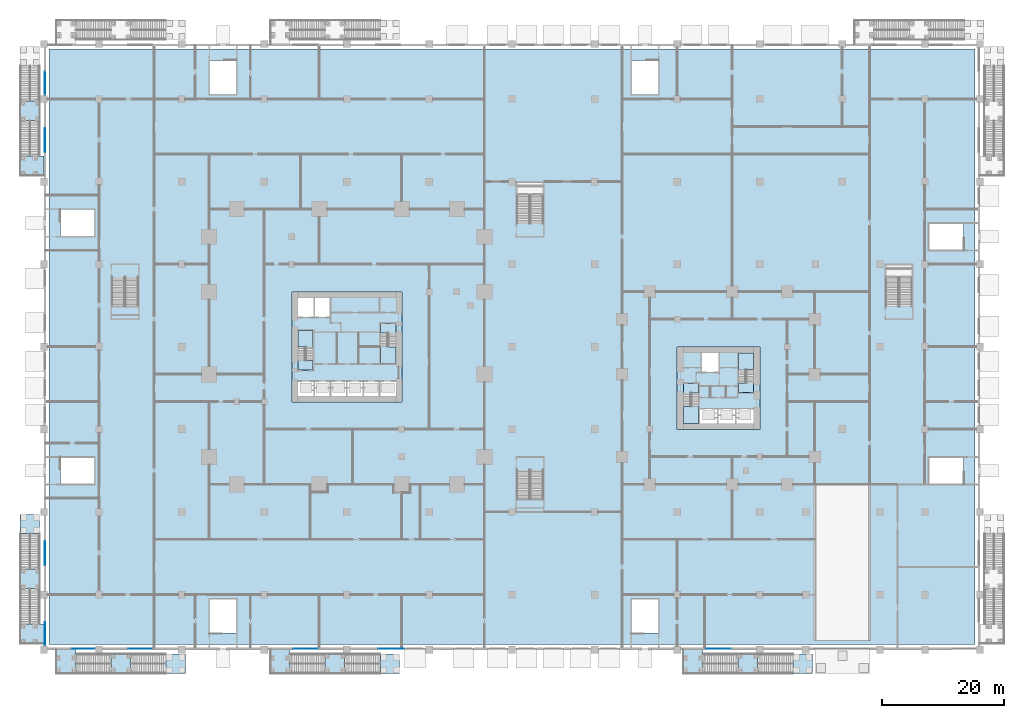
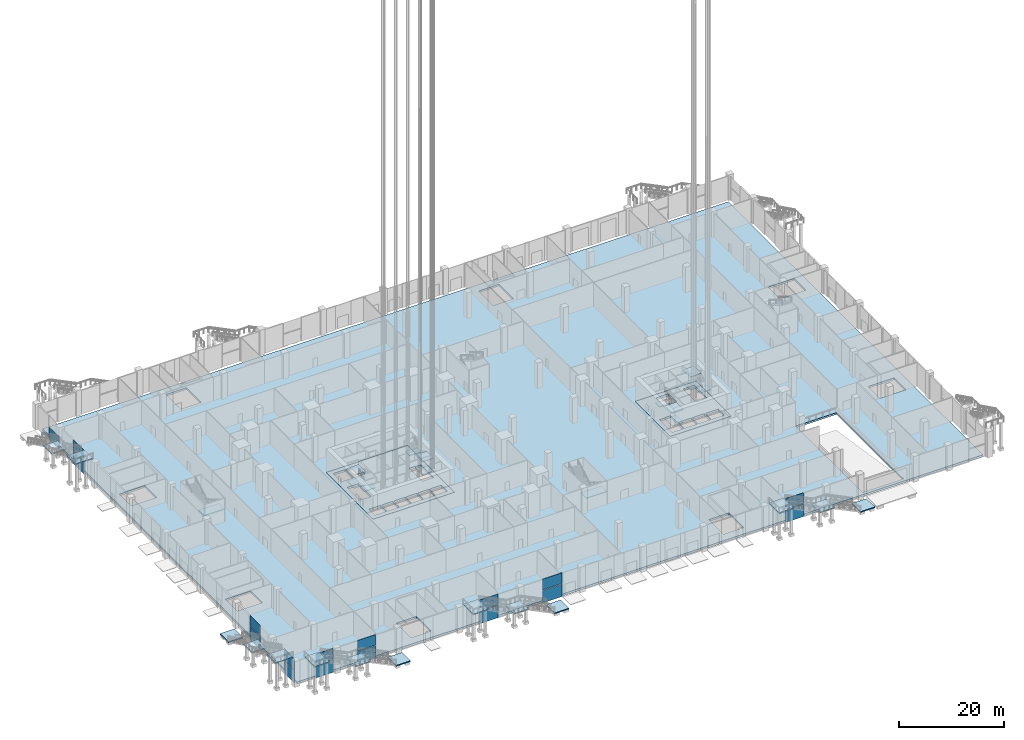
# One storey, part 21 of 68: 31 slabs, 17 plates, 20 elements without a shape of their own.
"""IFC4 building model written with IfcOpenShell, lengths in metres."""

from ifc_helpers import new_model, si_unit, direction, frame, origin, origin_2d, place, context, subcontext, project, spatial, polyline, rectangle, outline, extrude, material, layer, layer_set, type_object, element, aggregate, save


model = new_model("IFC4")

# Units and contexts
model_context = context("Model", 3, precision=1e-05, world=origin(), true_north=direction((0.0, 1.0)))
body_context = subcontext(model_context, "Body", "Model", "MODEL_VIEW")
ifc_project = project(units=[si_unit("LENGTHUNIT", "METRE"), si_unit("AREAUNIT", "SQUARE_METRE"), si_unit("VOLUMEUNIT", "CUBIC_METRE"), si_unit("PLANEANGLEUNIT", "RADIAN"), si_unit("MASSUNIT", "GRAM", prefix="KILO")], contexts=[model_context])

# Site, building, storey
site_placement = place(None, origin())
site = spatial("IfcSite", under=ifc_project, at=site_placement, CompositionType="ELEMENT")
building_placement = place(site_placement, origin())
building = spatial("IfcBuilding", under=site, at=building_placement, Name="Altepetl Exchange Towers", CompositionType="ELEMENT")
storey_placement = place(building_placement, origin())
storey = spatial("IfcBuildingStorey", under=building, at=storey_placement, Name="L00 Ground concourse", CompositionType="ELEMENT", Elevation=0.0)

# Slabs
ifc_material_1 = material(Name="Concrete C40/50", Category="concrete")
ifc_layer_1 = layer(ifc_material_1, 0.5)
ifc_layer_set_1 = layer_set([ifc_layer_1], Name="Concrete C40/50")
slab_type_1 = type_object("IfcSlabType", Name="Core floor slab 500", PredefinedType="FLOOR", material=ifc_layer_set_1)
slab_1_placement = place(storey_placement, frame((0.0, 0.0, -0.5)))
element("IfcSlab", 1, at=slab_1_placement, inside=storey, type_object=slab_type_1, Name="slab:A:L00:core0", PredefinedType="FLOOR", context=body_context, shape_type="SweptSolid", body=[
    extrude(outline(polyline([(40.5, 40.5), (58.5, 40.5), (58.5, 58.5), (40.5, 58.5), (40.5, 40.5)]), holes=[polyline([(41.5, 43.800048828125), (44.06689453125, 43.800048828125), (44.06689453125, 41.5), (41.5, 41.5), (41.5, 43.800048828125)]), polyline([(44.26708984375, 43.800048828125), (46.73291015625, 43.800048828125), (46.73291015625, 41.5), (44.26708984375, 41.5), (44.26708984375, 43.800048828125)]), polyline([(46.93310546875, 43.800048828125), (49.39990234375, 43.800048828125), (49.39990234375, 41.5), (46.93310546875, 41.5), (46.93310546875, 43.800048828125)]), polyline([(52.06689453125, 43.800048828125), (52.06689453125, 41.5), (49.60009765625, 41.5), (49.60009765625, 43.800048828125), (52.06689453125, 43.800048828125)]), polyline([(54.73291015625, 43.800048828125), (54.73291015625, 41.5), (52.26708984375, 41.5), (52.26708984375, 43.800048828125), (54.73291015625, 43.800048828125)]), polyline([(54.93310546875, 43.800048828125), (57.5, 43.800048828125), (57.5, 41.5), (54.93310546875, 41.5), (54.93310546875, 43.800048828125)]), polyline([(55.0, 51.7490234375), (56.300048828125, 51.7490234375), (56.300048828125, 51.64990234375), (57.5, 51.64990234375), (57.5, 46.800048828125), (55.0, 46.800048828125), (55.0, 51.7490234375)]), polyline([(44.0, 47.2509765625), (42.699951171875, 47.2509765625), (42.699951171875, 47.35009765625), (41.5, 47.35009765625), (41.5, 52.199951171875), (44.0, 52.199951171875), (44.0, 47.2509765625)]), polyline([(44.06689453125, 57.5), (44.06689453125, 54.39990234375), (41.5, 54.39990234375), (41.5, 57.5), (44.06689453125, 57.5)]), polyline([(46.73291015625, 57.5), (46.73291015625, 54.39990234375), (44.26708984375, 54.39990234375), (44.26708984375, 57.5), (46.73291015625, 57.5)])]), origin(), (0.0, 0.0, 1.0), 0.5),
])
slab_2_placement = place(storey_placement, frame((0.0, 0.0, -0.5)))
element("IfcSlab", 2, at=slab_2_placement, inside=storey, type_object=slab_type_1, Name="slab:B:L00:core0", PredefinedType="FLOOR", context=body_context, shape_type="SweptSolid", body=[
    extrude(outline(polyline([(103.5, 36.0), (117.0, 36.0), (117.0, 49.5), (103.5, 49.5), (103.5, 36.0)]), holes=[polyline([(107.199951171875, 37.0), (107.199951171875, 39.300048828125), (110.032958984375, 39.300048828125), (110.032958984375, 37.0), (107.199951171875, 37.0)]), polyline([(110.23291015625, 39.300048828125), (112.967041015625, 39.300048828125), (112.967041015625, 37.0), (110.23291015625, 37.0), (110.23291015625, 39.300048828125)]), polyline([(113.1669921875, 39.300048828125), (116.0, 39.300048828125), (116.0, 37.0), (113.1669921875, 37.0), (113.1669921875, 39.300048828125)]), polyline([(107.0, 37.0), (104.5, 37.0), (104.5, 41.85009765625), (105.699951171875, 41.85009765625), (105.699951171875, 41.948974609375), (107.0, 41.948974609375), (107.0, 37.0)]), polyline([(116.0, 48.5), (116.0, 43.64990234375), (114.800048828125, 43.64990234375), (114.800048828125, 43.551025390625), (113.5, 43.551025390625), (113.5, 48.5), (116.0, 48.5)]), polyline([(107.532958984375, 48.5), (110.26708984375, 48.5), (110.26708984375, 45.39990234375), (107.532958984375, 45.39990234375), (107.532958984375, 48.5)])]), origin(), (0.0, 0.0, 1.0), 0.5),
])

# Stair, slabs
ifc_material_2 = material(Name="Reinforced concrete C35/45", Category="concrete")
stair_type_1 = type_object("IfcStairType", Name="Exit garden steps 3200", PredefinedType="TWO_STRAIGHT_RUN_STAIR", material=ifc_material_2)
stair_1_placement = place(storey_placement, origin())
stair_1 = element("IfcStair", 3, at=stair_1_placement, inside=storey, type_object=stair_type_1, Name="ST-G1 exit garden steps", PredefinedType="TWO_STRAIGHT_RUN_STAIR")
ifc_layer_2 = layer(ifc_material_2, 0.25)
ifc_layer_set_2 = layer_set([ifc_layer_2], Name="Reinforced concrete C35/45")
slab_type_2 = type_object("IfcSlabType", Name="Garden steps landing 250", PredefinedType="LANDING", material=ifc_layer_set_2)
slab_3_placement = place(storey_placement, frame((0.0, 0.0, 5.75)))
slab_3 = element("IfcSlab", 4, at=slab_3_placement, type_object=slab_type_2, Name="ST-G1 landing 1", PredefinedType="LANDING", context=body_context, shape_type="SweptSolid", body=[
    extrude(outline(polyline([(2.0, 0.0), (5.199951171875, 0.0), (5.199951171875, -3.89990234375), (2.0, -3.89990234375), (2.0, 0.0)])), origin(), (0.0, 0.0, 1.0), 0.25),
])
slab_4_placement = place(storey_placement, frame((0.0, 0.0, 2.75)))
slab_4 = element("IfcSlab", 5, at=slab_4_placement, type_object=slab_type_2, Name="ST-G1 landing 2", PredefinedType="LANDING", context=body_context, shape_type="SweptSolid", body=[
    extrude(outline(polyline([(10.9599609375, -0.699951171875), (14.159912109375, -0.699951171875), (14.159912109375, -3.89990234375), (10.9599609375, -3.89990234375), (10.9599609375, -0.699951171875)])), origin(), (0.0, 0.0, 1.0), 0.25),
])
slab_5_placement = place(storey_placement, frame((0.0, 0.0, -0.25)))
slab_5 = element("IfcSlab", 6, at=slab_5_placement, type_object=slab_type_2, Name="ST-G1 landing 3", PredefinedType="LANDING", context=body_context, shape_type="SweptSolid", body=[
    extrude(outline(polyline([(19.919921875, -0.699951171875), (23.1201171875, -0.699951171875), (23.1201171875, -3.89990234375), (19.919921875, -3.89990234375), (19.919921875, -0.699951171875)])), origin(), (0.0, 0.0, 1.0), 0.25),
])
aggregate(stair_1, [slab_3, slab_4, slab_5])

stair_2_placement = place(storey_placement, origin())
stair_2 = element("IfcStair", 7, at=stair_2_placement, inside=storey, type_object=stair_type_1, Name="ST-G2 exit garden steps", PredefinedType="TWO_STRAIGHT_RUN_STAIR")
slab_6_placement = place(storey_placement, frame((0.0, 0.0, 5.75)))
slab_6 = element("IfcSlab", 8, at=slab_6_placement, type_object=slab_type_2, Name="ST-G2 landing 1", PredefinedType="LANDING", context=body_context, shape_type="SweptSolid", body=[
    extrude(outline(polyline([(37.0, 0.0), (40.199951171875, 0.0), (40.199951171875, -3.89990234375), (37.0, -3.89990234375), (37.0, 0.0)])), origin(), (0.0, 0.0, 1.0), 0.25),
])
slab_7_placement = place(storey_placement, frame((0.0, 0.0, 2.75)))
slab_7 = element("IfcSlab", 9, at=slab_7_placement, type_object=slab_type_2, Name="ST-G2 landing 2", PredefinedType="LANDING", context=body_context, shape_type="SweptSolid", body=[
    extrude(outline(polyline([(45.9599609375, -0.699951171875), (49.159912109375, -0.699951171875), (49.159912109375, -3.89990234375), (45.9599609375, -3.89990234375), (45.9599609375, -0.699951171875)])), origin(), (0.0, 0.0, 1.0), 0.25),
])
slab_8_placement = place(storey_placement, frame((0.0, 0.0, -0.25)))
slab_8 = element("IfcSlab", 10, at=slab_8_placement, type_object=slab_type_2, Name="ST-G2 landing 3", PredefinedType="LANDING", context=body_context, shape_type="SweptSolid", body=[
    extrude(outline(polyline([(54.919921875, -0.699951171875), (58.1201171875, -0.699951171875), (58.1201171875, -3.89990234375), (54.919921875, -3.89990234375), (54.919921875, -0.699951171875)])), origin(), (0.0, 0.0, 1.0), 0.25),
])
aggregate(stair_2, [slab_6, slab_7, slab_8])

stair_3_placement = place(storey_placement, origin())
stair_3 = element("IfcStair", 11, at=stair_3_placement, inside=storey, type_object=stair_type_1, Name="ST-G5 exit garden steps", PredefinedType="TWO_STRAIGHT_RUN_STAIR")
slab_9_placement = place(storey_placement, frame((0.0, 0.0, 5.75)))
slab_9 = element("IfcSlab", 12, at=slab_9_placement, type_object=slab_type_2, Name="ST-G5 landing 1", PredefinedType="LANDING", context=body_context, shape_type="SweptSolid", body=[
    extrude(outline(polyline([(0.0, 77.5), (0.0, 80.699951171875), (-3.89990234375, 80.699951171875), (-3.89990234375, 77.5), (0.0, 77.5)])), origin(), (0.0, 0.0, 1.0), 0.25),
])
slab_10_placement = place(storey_placement, frame((0.0, 0.0, 2.75)))
slab_10 = element("IfcSlab", 13, at=slab_10_placement, type_object=slab_type_2, Name="ST-G5 landing 2", PredefinedType="LANDING", context=body_context, shape_type="SweptSolid", body=[
    extrude(outline(polyline([(-0.699951171875, 86.4599609375), (-0.699951171875, 89.659912109375), (-3.89990234375, 89.659912109375), (-3.89990234375, 86.4599609375), (-0.699951171875, 86.4599609375)])), origin(), (0.0, 0.0, 1.0), 0.25),
])
aggregate(stair_3, [slab_9, slab_10])

stair_4_placement = place(storey_placement, origin())
stair_4 = element("IfcStair", 14, at=stair_4_placement, inside=storey, type_object=stair_type_1, Name="ST-G10 exit garden steps", PredefinedType="TWO_STRAIGHT_RUN_STAIR")
slab_11_placement = place(storey_placement, frame((0.0, 0.0, 5.75)))
slab_11 = element("IfcSlab", 15, at=slab_11_placement, type_object=slab_type_2, Name="ST-G10 landing 1", PredefinedType="LANDING", context=body_context, shape_type="SweptSolid", body=[
    extrude(outline(polyline([(104.5, 0.0), (107.699951171875, 0.0), (107.699951171875, -3.89990234375), (104.5, -3.89990234375), (104.5, 0.0)])), origin(), (0.0, 0.0, 1.0), 0.25),
])
slab_12_placement = place(storey_placement, frame((0.0, 0.0, 2.75)))
slab_12 = element("IfcSlab", 16, at=slab_12_placement, type_object=slab_type_2, Name="ST-G10 landing 2", PredefinedType="LANDING", context=body_context, shape_type="SweptSolid", body=[
    extrude(outline(polyline([(113.4599609375, -0.699951171875), (116.659912109375, -0.699951171875), (116.659912109375, -3.89990234375), (113.4599609375, -3.89990234375), (113.4599609375, -0.699951171875)])), origin(), (0.0, 0.0, 1.0), 0.25),
])
slab_13_placement = place(storey_placement, frame((0.0, 0.0, -0.25)))
slab_13 = element("IfcSlab", 17, at=slab_13_placement, type_object=slab_type_2, Name="ST-G10 landing 3", PredefinedType="LANDING", context=body_context, shape_type="SweptSolid", body=[
    extrude(outline(polyline([(122.419921875, -0.699951171875), (125.6201171875, -0.699951171875), (125.6201171875, -3.89990234375), (122.419921875, -3.89990234375), (122.419921875, -0.699951171875)])), origin(), (0.0, 0.0, 1.0), 0.25),
])
aggregate(stair_4, [slab_11, slab_12, slab_13])

stair_5_placement = place(storey_placement, origin())
stair_5 = element("IfcStair", 18, at=stair_5_placement, inside=storey, type_object=stair_type_1, Name="ST-G12 exit garden steps", PredefinedType="TWO_STRAIGHT_RUN_STAIR")
slab_14_placement = place(storey_placement, frame((0.0, 0.0, 5.75)))
slab_14 = element("IfcSlab", 19, at=slab_14_placement, type_object=slab_type_2, Name="ST-G12 landing 1", PredefinedType="LANDING", context=body_context, shape_type="SweptSolid", body=[
    extrude(outline(polyline([(0.0, 1.0), (0.0, 4.199951171875), (-3.89990234375, 4.199951171875), (-3.89990234375, 1.0), (0.0, 1.0)])), origin(), (0.0, 0.0, 1.0), 0.25),
])
slab_15_placement = place(storey_placement, frame((0.0, 0.0, 2.75)))
slab_15 = element("IfcSlab", 20, at=slab_15_placement, type_object=slab_type_2, Name="ST-G12 landing 2", PredefinedType="LANDING", context=body_context, shape_type="SweptSolid", body=[
    extrude(outline(polyline([(-0.699951171875, 9.9599609375), (-0.699951171875, 13.159912109375), (-3.89990234375, 13.159912109375), (-3.89990234375, 9.9599609375), (-0.699951171875, 9.9599609375)])), origin(), (0.0, 0.0, 1.0), 0.25),
])
slab_16_placement = place(storey_placement, frame((0.0, 0.0, -0.25)))
slab_16 = element("IfcSlab", 21, at=slab_16_placement, type_object=slab_type_2, Name="ST-G12 landing 3", PredefinedType="LANDING", context=body_context, shape_type="SweptSolid", body=[
    extrude(outline(polyline([(-0.699951171875, 18.919921875), (-0.699951171875, 22.1201171875), (-3.89990234375, 22.1201171875), (-3.89990234375, 18.919921875), (-0.699951171875, 18.919921875)])), origin(), (0.0, 0.0, 1.0), 0.25),
])
aggregate(stair_5, [slab_14, slab_15, slab_16])

# Curtain wall, plates
ifc_material_3 = material(Name="Aluminium 6063-T6 glazing", Category="aluminium")
curtain_wall_type = type_object("IfcCurtainWallType", Name="Podium storefront system", PredefinedType="NOTDEFINED", material=ifc_material_3)
curtain_wall_1_placement = place(storey_placement, origin())
curtain_wall_1 = element("IfcCurtainWall", 22, at=curtain_wall_1_placement, inside=storey, type_object=curtain_wall_type, Name="CW5 run", PredefinedType="NOTDEFINED")
ifc_material_4 = material(Name="Glass 8-16-8 toughened", Category="glass")
ifc_layer_3 = layer(ifc_material_4, 0.031982421875)
ifc_layer_set_3 = layer_set([ifc_layer_3], Name="Glass 8-16-8 toughened")
plate_type = type_object("IfcPlateType", Name="Glass panel 32 storefront", PredefinedType="CURTAIN_PANEL", material=ifc_layer_set_3)
plate_1_placement = place(storey_placement, frame((6.425048828125, 0.14990234375, 0.0)))
plate_1 = element("IfcPlate", 23, at=plate_1_placement, type_object=plate_type, Name="GP4 panel", PredefinedType="CURTAIN_PANEL", context=body_context, shape_type="SweptSolid", body=[
    extrude(rectangle(XDim=3.72998046875, YDim=0.031982421875, at=origin_2d()), origin(), (0.0, 0.0, 1.0), 2.929931640625),
])
plate_2_placement = place(storey_placement, frame((6.425048828125, 0.14990234375, 3.070068359375)))
plate_2 = element("IfcPlate", 24, at=plate_2_placement, type_object=plate_type, Name="GP4 panel", PredefinedType="CURTAIN_PANEL", context=body_context, shape_type="SweptSolid", body=[
    extrude(rectangle(XDim=3.72998046875, YDim=0.031982421875, at=origin_2d()), origin(), (0.0, 0.0, 1.0), 2.47998046875),
])
aggregate(curtain_wall_1, [plate_1, plate_2])

curtain_wall_2_placement = place(storey_placement, origin())
curtain_wall_2 = element("IfcCurtainWall", 25, at=curtain_wall_2_placement, inside=storey, type_object=curtain_wall_type, Name="CW5 run", PredefinedType="NOTDEFINED")
plate_3_placement = place(storey_placement, frame((15.75, 0.14990234375, 0.0)))
plate_3 = element("IfcPlate", 26, at=plate_3_placement, type_object=plate_type, Name="GP4 panel", PredefinedType="CURTAIN_PANEL", context=body_context, shape_type="SweptSolid", body=[
    extrude(rectangle(XDim=3.94677734375, YDim=0.031982421875, at=origin_2d()), origin(), (0.0, 0.0, 1.0), 2.929931640625),
])
plate_4_placement = place(storey_placement, frame((15.75, 0.14990234375, 3.070068359375)))
plate_4 = element("IfcPlate", 27, at=plate_4_placement, type_object=plate_type, Name="GP4 panel", PredefinedType="CURTAIN_PANEL", context=body_context, shape_type="SweptSolid", body=[
    extrude(rectangle(XDim=3.94677734375, YDim=0.031982421875, at=origin_2d()), origin(), (0.0, 0.0, 1.0), 2.47998046875),
])
aggregate(curtain_wall_2, [plate_3, plate_4])

curtain_wall_3_placement = place(storey_placement, origin())
curtain_wall_3 = element("IfcCurtainWall", 28, at=curtain_wall_3_placement, inside=storey, type_object=curtain_wall_type, Name="CW5 run", PredefinedType="NOTDEFINED")
plate_5_placement = place(storey_placement, frame((42.75, 0.14990234375, 0.0)))
plate_5 = element("IfcPlate", 29, at=plate_5_placement, type_object=plate_type, Name="GP4 panel", PredefinedType="CURTAIN_PANEL", context=body_context, shape_type="SweptSolid", body=[
    extrude(rectangle(XDim=3.94677734375, YDim=0.031982421875, at=origin_2d()), origin(), (0.0, 0.0, 1.0), 2.929931640625),
])
plate_6_placement = place(storey_placement, frame((42.75, 0.14990234375, 3.070068359375)))
plate_6 = element("IfcPlate", 30, at=plate_6_placement, type_object=plate_type, Name="GP4 panel", PredefinedType="CURTAIN_PANEL", context=body_context, shape_type="SweptSolid", body=[
    extrude(rectangle(XDim=3.94677734375, YDim=0.031982421875, at=origin_2d()), origin(), (0.0, 0.0, 1.0), 2.47998046875),
])
aggregate(curtain_wall_3, [plate_5, plate_6])

curtain_wall_4_placement = place(storey_placement, origin())
curtain_wall_4 = element("IfcCurtainWall", 31, at=curtain_wall_4_placement, inside=storey, type_object=curtain_wall_type, Name="CW5 run", PredefinedType="NOTDEFINED")
plate_7_placement = place(storey_placement, frame((56.75, 0.14990234375, 0.0)))
plate_7 = element("IfcPlate", 32, at=plate_7_placement, type_object=plate_type, Name="GP4 panel", PredefinedType="CURTAIN_PANEL", context=body_context, shape_type="SweptSolid", body=[
    extrude(rectangle(XDim=4.280029296875, YDim=0.031982421875, at=origin_2d()), origin(), (0.0, 0.0, 1.0), 2.929931640625),
])
plate_8_placement = place(storey_placement, frame((56.75, 0.14990234375, 3.070068359375)))
plate_8 = element("IfcPlate", 33, at=plate_8_placement, type_object=plate_type, Name="GP4 panel", PredefinedType="CURTAIN_PANEL", context=body_context, shape_type="SweptSolid", body=[
    extrude(rectangle(XDim=4.280029296875, YDim=0.031982421875, at=origin_2d()), origin(), (0.0, 0.0, 1.0), 2.47998046875),
])
aggregate(curtain_wall_4, [plate_7, plate_8])

curtain_wall_5_placement = place(storey_placement, origin())
curtain_wall_5 = element("IfcCurtainWall", 34, at=curtain_wall_5_placement, inside=storey, type_object=curtain_wall_type, Name="CW5 run", PredefinedType="NOTDEFINED")
plate_9_placement = place(storey_placement, frame((110.25, 0.14990234375, 0.0)))
plate_9 = element("IfcPlate", 35, at=plate_9_placement, type_object=plate_type, Name="GP4 panel", PredefinedType="CURTAIN_PANEL", context=body_context, shape_type="SweptSolid", body=[
    extrude(rectangle(XDim=3.94677734375, YDim=0.031982421875, at=origin_2d()), origin(), (0.0, 0.0, 1.0), 2.929931640625),
])
plate_10_placement = place(storey_placement, frame((110.25, 0.14990234375, 3.070068359375)))
plate_10 = element("IfcPlate", 36, at=plate_10_placement, type_object=plate_type, Name="GP4 panel", PredefinedType="CURTAIN_PANEL", context=body_context, shape_type="SweptSolid", body=[
    extrude(rectangle(XDim=3.94677734375, YDim=0.031982421875, at=origin_2d()), origin(), (0.0, 0.0, 1.0), 2.47998046875),
])
aggregate(curtain_wall_5, [plate_9, plate_10])

# Curtain wall, plate
curtain_wall_6_placement = place(storey_placement, origin())
curtain_wall_6 = element("IfcCurtainWall", 37, at=curtain_wall_6_placement, inside=storey, type_object=curtain_wall_type, Name="CW5 run", PredefinedType="NOTDEFINED")
plate_11_placement = place(storey_placement, frame((0.14990234375, 92.574951171875, 0.0), z_axis=(0.0, 0.0, 1.0), x_axis=(0.0, -1.0, 0.0)))
plate_11 = element("IfcPlate", 38, at=plate_11_placement, type_object=plate_type, Name="GP4 panel", PredefinedType="CURTAIN_PANEL", context=body_context, shape_type="SweptSolid", body=[
    extrude(rectangle(XDim=3.72998046875, YDim=0.031982421875, at=origin_2d()), origin(), (0.0, 0.0, 1.0), 2.929931640625),
])
aggregate(curtain_wall_6, [plate_11])

# Curtain wall, plates
curtain_wall_7_placement = place(storey_placement, origin())
curtain_wall_7 = element("IfcCurtainWall", 39, at=curtain_wall_7_placement, inside=storey, type_object=curtain_wall_type, Name="CW5 run", PredefinedType="NOTDEFINED")
plate_12_placement = place(storey_placement, frame((0.14990234375, 83.25, 0.0), z_axis=(0.0, 0.0, 1.0), x_axis=(0.0, -1.0, 0.0)))
plate_12 = element("IfcPlate", 40, at=plate_12_placement, type_object=plate_type, Name="GP4 panel", PredefinedType="CURTAIN_PANEL", context=body_context, shape_type="SweptSolid", body=[
    extrude(rectangle(XDim=3.94677734375, YDim=0.031982421875, at=origin_2d()), origin(), (0.0, 0.0, 1.0), 2.929931640625),
])
plate_13_placement = place(storey_placement, frame((0.14990234375, 83.25, 3.070068359375), z_axis=(0.0, 0.0, 1.0), x_axis=(0.0, -1.0, 0.0)))
plate_13 = element("IfcPlate", 41, at=plate_13_placement, type_object=plate_type, Name="GP4 panel", PredefinedType="CURTAIN_PANEL", context=body_context, shape_type="SweptSolid", body=[
    extrude(rectangle(XDim=3.94677734375, YDim=0.031982421875, at=origin_2d()), origin(), (0.0, 0.0, 1.0), 2.47998046875),
])
aggregate(curtain_wall_7, [plate_12, plate_13])

curtain_wall_8_placement = place(storey_placement, origin())
curtain_wall_8 = element("IfcCurtainWall", 42, at=curtain_wall_8_placement, inside=storey, type_object=curtain_wall_type, Name="CW5 run", PredefinedType="NOTDEFINED")
plate_14_placement = place(storey_placement, frame((0.14990234375, 15.75, 0.0), z_axis=(0.0, 0.0, 1.0), x_axis=(0.0, -1.0, 0.0)))
plate_14 = element("IfcPlate", 43, at=plate_14_placement, type_object=plate_type, Name="GP4 panel", PredefinedType="CURTAIN_PANEL", context=body_context, shape_type="SweptSolid", body=[
    extrude(rectangle(XDim=3.94677734375, YDim=0.031982421875, at=origin_2d()), origin(), (0.0, 0.0, 1.0), 2.929931640625),
])
plate_15_placement = place(storey_placement, frame((0.14990234375, 15.75, 3.070068359375), z_axis=(0.0, 0.0, 1.0), x_axis=(0.0, -1.0, 0.0)))
plate_15 = element("IfcPlate", 44, at=plate_15_placement, type_object=plate_type, Name="GP4 panel", PredefinedType="CURTAIN_PANEL", context=body_context, shape_type="SweptSolid", body=[
    extrude(rectangle(XDim=3.94677734375, YDim=0.031982421875, at=origin_2d()), origin(), (0.0, 0.0, 1.0), 2.47998046875),
])
aggregate(curtain_wall_8, [plate_14, plate_15])

curtain_wall_9_placement = place(storey_placement, origin())
curtain_wall_9 = element("IfcCurtainWall", 45, at=curtain_wall_9_placement, inside=storey, type_object=curtain_wall_type, Name="CW5 run", PredefinedType="NOTDEFINED")
plate_16_placement = place(storey_placement, frame((0.14990234375, 2.574951171875, 0.0), z_axis=(0.0, 0.0, 1.0), x_axis=(0.0, -1.0, 0.0)))
plate_16 = element("IfcPlate", 46, at=plate_16_placement, type_object=plate_type, Name="GP4 panel", PredefinedType="CURTAIN_PANEL", context=body_context, shape_type="SweptSolid", body=[
    extrude(rectangle(XDim=3.72998046875, YDim=0.031982421875, at=origin_2d()), origin(), (0.0, 0.0, 1.0), 2.929931640625),
])
plate_17_placement = place(storey_placement, frame((0.14990234375, 2.574951171875, 3.070068359375), z_axis=(0.0, 0.0, 1.0), x_axis=(0.0, -1.0, 0.0)))
plate_17 = element("IfcPlate", 47, at=plate_17_placement, type_object=plate_type, Name="GP4 panel", PredefinedType="CURTAIN_PANEL", context=body_context, shape_type="SweptSolid", body=[
    extrude(rectangle(XDim=3.72998046875, YDim=0.031982421875, at=origin_2d()), origin(), (0.0, 0.0, 1.0), 2.47998046875),
])
aggregate(curtain_wall_9, [plate_16, plate_17])

# Slab
ifc_layer_4 = layer(ifc_material_1, 0.449951171875)
ifc_layer_set_4 = layer_set([ifc_layer_4], Name="Concrete C40/50")
slab_type_3 = type_object("IfcSlabType", Name="Podium flat slab 450", PredefinedType="FLOOR", material=ifc_layer_set_4)
slab_17_placement = place(storey_placement, frame((0.0, 0.0, -0.449951171875)))
element("IfcSlab", 48, at=slab_17_placement, inside=storey, type_object=slab_type_3, Name="slab:P:L00:flat0", PredefinedType="FLOOR", context=body_context, shape_type="SweptSolid", body=[
    extrude(outline(polyline([(0.800048828125, 98.199951171875), (0.800048828125, 0.800048828125), (152.199951171875, 0.800048828125), (152.199951171875, 98.199951171875), (0.800048828125, 98.199951171875)]), holes=[polyline([(117.0, 49.5), (117.0, 36.0), (103.5, 36.0), (103.5, 49.5), (117.0, 49.5)]), polyline([(58.5, 58.5), (58.5, 40.5), (40.5, 40.5), (40.5, 58.5), (58.5, 58.5)]), polyline([(135.0, 27.0), (135.0, 1.5), (126.0, 1.5), (126.0, 27.0), (135.0, 27.0)]), polyline([(31.5, 8.300048828125), (31.5, 2.699951171875), (27.0, 2.699951171875), (27.0, 8.300048828125), (31.5, 8.300048828125)]), polyline([(100.5, 2.699951171875), (96.0, 2.699951171875), (96.0, 8.300048828125), (100.5, 8.300048828125), (100.5, 2.699951171875)]), polyline([(2.699951171875, 31.5), (8.300048828125, 31.5), (8.300048828125, 27.0), (2.699951171875, 27.0), (2.699951171875, 31.5)]), polyline([(8.300048828125, 72.0), (8.300048828125, 67.5), (2.699951171875, 67.5), (2.699951171875, 72.0), (8.300048828125, 72.0)]), polyline([(27.0, 90.699951171875), (27.0, 96.300048828125), (31.5, 96.300048828125), (31.5, 90.699951171875), (27.0, 90.699951171875)]), polyline([(96.0, 96.300048828125), (100.5, 96.300048828125), (100.5, 90.699951171875), (96.0, 90.699951171875), (96.0, 96.300048828125)]), polyline([(150.300048828125, 27.0), (144.60009765625, 27.0), (144.60009765625, 31.5), (150.300048828125, 31.5), (150.300048828125, 27.0)]), polyline([(144.60009765625, 65.25), (144.60009765625, 69.75), (150.300048828125, 69.75), (150.300048828125, 65.25), (144.60009765625, 65.25)])]), origin(), (0.0, 0.0, 1.0), 0.449951171875),
])

# Stair, slab
stair_type_2 = type_object("IfcStairType", Name="Exit half-turn stair 2025", PredefinedType="HALF_TURN_STAIR", material=ifc_material_2)
stair_6_placement = place(storey_placement, origin())
stair_6 = element("IfcStair", 49, at=stair_6_placement, inside=storey, type_object=stair_type_2, Name="ST-P9 stair", PredefinedType="HALF_TURN_STAIR")
ifc_layer_5 = layer(ifc_material_2, 0.199951171875)
ifc_layer_set_5 = layer_set([ifc_layer_5], Name="Reinforced concrete C35/45")
slab_type_4 = type_object("IfcSlabType", Name="Stair landing 200", PredefinedType="LANDING", material=ifc_layer_set_5)
slab_18_placement = place(storey_placement, frame((0.0, 0.0, 2.800048828125)))
slab_18 = element("IfcSlab", 50, at=slab_18_placement, type_object=slab_type_4, Name="ST-P9 landing 1", PredefinedType="LANDING", context=body_context, shape_type="SweptSolid", body=[
    extrude(outline(polyline([(81.699951171875, 24.639892578125), (77.199951171875, 24.639892578125), (77.199951171875, 22.5), (81.699951171875, 22.5), (81.699951171875, 24.639892578125)])), origin(), (0.0, 0.0, 1.0), 0.199951171875),
])
aggregate(stair_6, [slab_18])

stair_7_placement = place(storey_placement, origin())
stair_7 = element("IfcStair", 51, at=stair_7_placement, inside=storey, type_object=stair_type_2, Name="ST-P12 stair", PredefinedType="HALF_TURN_STAIR")
slab_19_placement = place(storey_placement, frame((0.0, 0.0, 2.800048828125)))
slab_19 = element("IfcSlab", 52, at=slab_19_placement, type_object=slab_type_4, Name="ST-P12 landing 1", PredefinedType="LANDING", context=body_context, shape_type="SweptSolid", body=[
    extrude(outline(polyline([(15.5, 56.139892578125), (11.0, 56.139892578125), (11.0, 54.0), (15.5, 54.0), (15.5, 56.139892578125)])), origin(), (0.0, 0.0, 1.0), 0.199951171875),
])
aggregate(stair_7, [slab_19])

# Stair, slabs
stair_type_3 = type_object("IfcStairType", Name="Exit stair 1200 flights dogleg", PredefinedType="HALF_TURN_STAIR", material=ifc_material_1)
stair_8_placement = place(storey_placement, origin())
stair_8 = element("IfcStair", 53, at=stair_8_placement, inside=storey, type_object=stair_type_3, Name="Exit stair 1", PredefinedType="HALF_TURN_STAIR")
ifc_layer_6 = layer(ifc_material_1, 0.199951171875)
ifc_layer_set_6 = layer_set([ifc_layer_6], Name="Concrete C40/50")
slab_type_5 = type_object("IfcSlabType", Name="Stair landing 200 reinforced concrete", PredefinedType="LANDING", material=ifc_layer_set_6)
slab_20_placement = place(storey_placement, frame((0.0, 0.0, 1.300048828125)))
slab_20 = element("IfcSlab", 54, at=slab_20_placement, type_object=slab_type_5, Name="ST-A1a landing 1", PredefinedType="LANDING", context=body_context, shape_type="SweptSolid", body=[
    extrude(outline(polyline([(44.0, 49.389892578125), (42.800048828125, 49.389892578125), (42.800048828125, 49.489990234375), (42.699951171875, 49.489990234375), (42.699951171875, 49.4892578125), (41.5, 49.4892578125), (41.5, 49.489990234375), (41.5, 52.199951171875), (44.0, 52.199951171875), (44.0, 49.489990234375), (44.0, 49.389892578125)])), origin(), (0.0, 0.0, 1.0), 0.199951171875),
])
slab_21_placement = place(storey_placement, frame((0.0, 0.0, 2.800048828125)))
slab_21 = element("IfcSlab", 55, at=slab_21_placement, type_object=slab_type_5, Name="ST-A1a landing 2", PredefinedType="LANDING", context=body_context, shape_type="SweptSolid", body=[
    extrude(outline(polyline([(44.0, 45.699951171875), (41.5, 45.699951171875), (41.5, 47.25), (41.5, 47.35009765625), (42.699951171875, 47.35009765625), (42.699951171875, 47.25), (42.800048828125, 47.25), (42.800048828125, 47.250732421875), (44.0, 47.250732421875), (44.0, 47.25), (44.0, 45.699951171875)])), origin(), (0.0, 0.0, 1.0), 0.199951171875),
])
slab_22_placement = place(storey_placement, frame((0.0, 0.0, 4.300048828125)))
slab_22 = element("IfcSlab", 56, at=slab_22_placement, type_object=slab_type_5, Name="ST-A1a landing 3", PredefinedType="LANDING", context=body_context, shape_type="SweptSolid", body=[
    extrude(outline(polyline([(44.0, 49.389892578125), (42.800048828125, 49.389892578125), (42.800048828125, 49.489990234375), (42.699951171875, 49.489990234375), (42.699951171875, 49.4892578125), (41.5, 49.4892578125), (41.5, 49.489990234375), (41.5, 52.199951171875), (44.0, 52.199951171875), (44.0, 49.489990234375), (44.0, 49.389892578125)])), origin(), (0.0, 0.0, 1.0), 0.199951171875),
])
aggregate(stair_8, [slab_20, slab_21, slab_22])

stair_9_placement = place(storey_placement, origin())
stair_9 = element("IfcStair", 57, at=stair_9_placement, inside=storey, type_object=stair_type_3, Name="Exit stair 2", PredefinedType="HALF_TURN_STAIR")
slab_23_placement = place(storey_placement, frame((0.0, 0.0, 1.300048828125)))
slab_23 = element("IfcSlab", 58, at=slab_23_placement, type_object=slab_type_5, Name="ST-A2a landing 1", PredefinedType="LANDING", context=body_context, shape_type="SweptSolid", body=[
    extrude(outline(polyline([(57.5, 46.800048828125), (55.0, 46.800048828125), (55.0, 49.510009765625), (55.0, 49.610107421875), (56.199951171875, 49.610107421875), (56.199951171875, 49.510009765625), (56.300048828125, 49.510009765625), (56.300048828125, 49.5107421875), (57.5, 49.5107421875), (57.5, 49.510009765625), (57.5, 46.800048828125)])), origin(), (0.0, 0.0, 1.0), 0.199951171875),
])
slab_24_placement = place(storey_placement, frame((0.0, 0.0, 2.800048828125)))
slab_24 = element("IfcSlab", 59, at=slab_24_placement, type_object=slab_type_5, Name="ST-A2a landing 2", PredefinedType="LANDING", context=body_context, shape_type="SweptSolid", body=[
    extrude(outline(polyline([(57.5, 51.64990234375), (56.300048828125, 51.64990234375), (56.300048828125, 51.75), (56.199951171875, 51.75), (56.199951171875, 51.749267578125), (55.0, 51.749267578125), (55.0, 51.75), (55.0, 53.300048828125), (57.5, 53.300048828125), (57.5, 51.75), (57.5, 51.64990234375)])), origin(), (0.0, 0.0, 1.0), 0.199951171875),
])
slab_25_placement = place(storey_placement, frame((0.0, 0.0, 4.300048828125)))
slab_25 = element("IfcSlab", 60, at=slab_25_placement, type_object=slab_type_5, Name="ST-A2a landing 3", PredefinedType="LANDING", context=body_context, shape_type="SweptSolid", body=[
    extrude(outline(polyline([(57.5, 46.800048828125), (55.0, 46.800048828125), (55.0, 49.510009765625), (55.0, 49.610107421875), (56.199951171875, 49.610107421875), (56.199951171875, 49.510009765625), (56.300048828125, 49.510009765625), (56.300048828125, 49.5107421875), (57.5, 49.5107421875), (57.5, 49.510009765625), (57.5, 46.800048828125)])), origin(), (0.0, 0.0, 1.0), 0.199951171875),
])
aggregate(stair_9, [slab_23, slab_24, slab_25])

stair_10_placement = place(storey_placement, origin())
stair_10 = element("IfcStair", 61, at=stair_10_placement, inside=storey, type_object=stair_type_3, Name="Exit stair 1", PredefinedType="HALF_TURN_STAIR")
slab_26_placement = place(storey_placement, frame((0.0, 0.0, 1.300048828125)))
slab_26 = element("IfcSlab", 62, at=slab_26_placement, type_object=slab_type_5, Name="ST-B1a landing 1", PredefinedType="LANDING", context=body_context, shape_type="SweptSolid", body=[
    extrude(outline(polyline([(107.0, 37.0), (104.5, 37.0), (104.5, 39.7099609375), (104.5, 39.710693359375), (105.699951171875, 39.710693359375), (105.699951171875, 39.7099609375), (105.800048828125, 39.7099609375), (105.800048828125, 39.81005859375), (107.0, 39.81005859375), (107.0, 39.7099609375), (107.0, 37.0)])), origin(), (0.0, 0.0, 1.0), 0.199951171875),
])
slab_27_placement = place(storey_placement, frame((0.0, 0.0, 2.800048828125)))
slab_27 = element("IfcSlab", 63, at=slab_27_placement, type_object=slab_type_5, Name="ST-B1a landing 2", PredefinedType="LANDING", context=body_context, shape_type="SweptSolid", body=[
    extrude(outline(polyline([(105.699951171875, 41.85009765625), (104.5, 41.85009765625), (104.5, 41.949951171875), (104.5, 43.5), (107.0, 43.5), (107.0, 41.949951171875), (107.0, 41.94921875), (105.800048828125, 41.94921875), (105.800048828125, 41.949951171875), (105.699951171875, 41.949951171875), (105.699951171875, 41.85009765625)])), origin(), (0.0, 0.0, 1.0), 0.199951171875),
])
slab_28_placement = place(storey_placement, frame((0.0, 0.0, 4.300048828125)))
slab_28 = element("IfcSlab", 64, at=slab_28_placement, type_object=slab_type_5, Name="ST-B1a landing 3", PredefinedType="LANDING", context=body_context, shape_type="SweptSolid", body=[
    extrude(outline(polyline([(107.0, 37.0), (104.5, 37.0), (104.5, 39.7099609375), (104.5, 39.710693359375), (105.699951171875, 39.710693359375), (105.699951171875, 39.7099609375), (105.800048828125, 39.7099609375), (105.800048828125, 39.81005859375), (107.0, 39.81005859375), (107.0, 39.7099609375), (107.0, 37.0)])), origin(), (0.0, 0.0, 1.0), 0.199951171875),
])
aggregate(stair_10, [slab_26, slab_27, slab_28])

stair_11_placement = place(storey_placement, origin())
stair_11 = element("IfcStair", 65, at=stair_11_placement, inside=storey, type_object=stair_type_3, Name="Exit stair 2", PredefinedType="HALF_TURN_STAIR")
slab_29_placement = place(storey_placement, frame((0.0, 0.0, 1.300048828125)))
slab_29 = element("IfcSlab", 66, at=slab_29_placement, type_object=slab_type_5, Name="ST-B2a landing 1", PredefinedType="LANDING", context=body_context, shape_type="SweptSolid", body=[
    extrude(outline(polyline([(114.699951171875, 45.68994140625), (113.5, 45.68994140625), (113.5, 45.7900390625), (113.5, 48.5), (116.0, 48.5), (116.0, 45.7900390625), (116.0, 45.789306640625), (114.800048828125, 45.789306640625), (114.800048828125, 45.7900390625), (114.699951171875, 45.7900390625), (114.699951171875, 45.68994140625)])), origin(), (0.0, 0.0, 1.0), 0.199951171875),
])
slab_30_placement = place(storey_placement, frame((0.0, 0.0, 2.800048828125)))
slab_30 = element("IfcSlab", 67, at=slab_30_placement, type_object=slab_type_5, Name="ST-B2a landing 2", PredefinedType="LANDING", context=body_context, shape_type="SweptSolid", body=[
    extrude(outline(polyline([(116.0, 42.0), (113.5, 42.0), (113.5, 43.550048828125), (113.5, 43.55078125), (114.699951171875, 43.55078125), (114.699951171875, 43.550048828125), (114.800048828125, 43.550048828125), (114.800048828125, 43.64990234375), (116.0, 43.64990234375), (116.0, 43.550048828125), (116.0, 42.0)])), origin(), (0.0, 0.0, 1.0), 0.199951171875),
])
slab_31_placement = place(storey_placement, frame((0.0, 0.0, 4.300048828125)))
slab_31 = element("IfcSlab", 68, at=slab_31_placement, type_object=slab_type_5, Name="ST-B2a landing 3", PredefinedType="LANDING", context=body_context, shape_type="SweptSolid", body=[
    extrude(outline(polyline([(114.699951171875, 45.68994140625), (113.5, 45.68994140625), (113.5, 45.7900390625), (113.5, 48.5), (116.0, 48.5), (116.0, 45.7900390625), (116.0, 45.789306640625), (114.800048828125, 45.789306640625), (114.800048828125, 45.7900390625), (114.699951171875, 45.7900390625), (114.699951171875, 45.68994140625)])), origin(), (0.0, 0.0, 1.0), 0.199951171875),
])
aggregate(stair_11, [slab_29, slab_30, slab_31])

save(model, "model.ifc")
